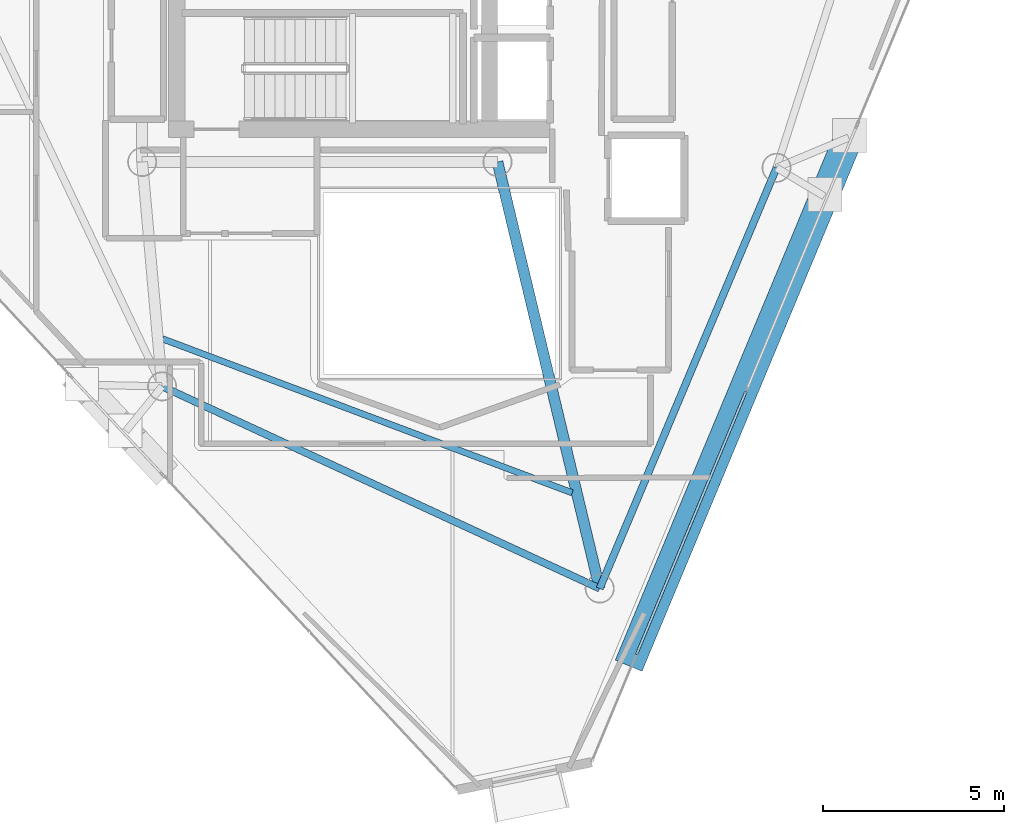
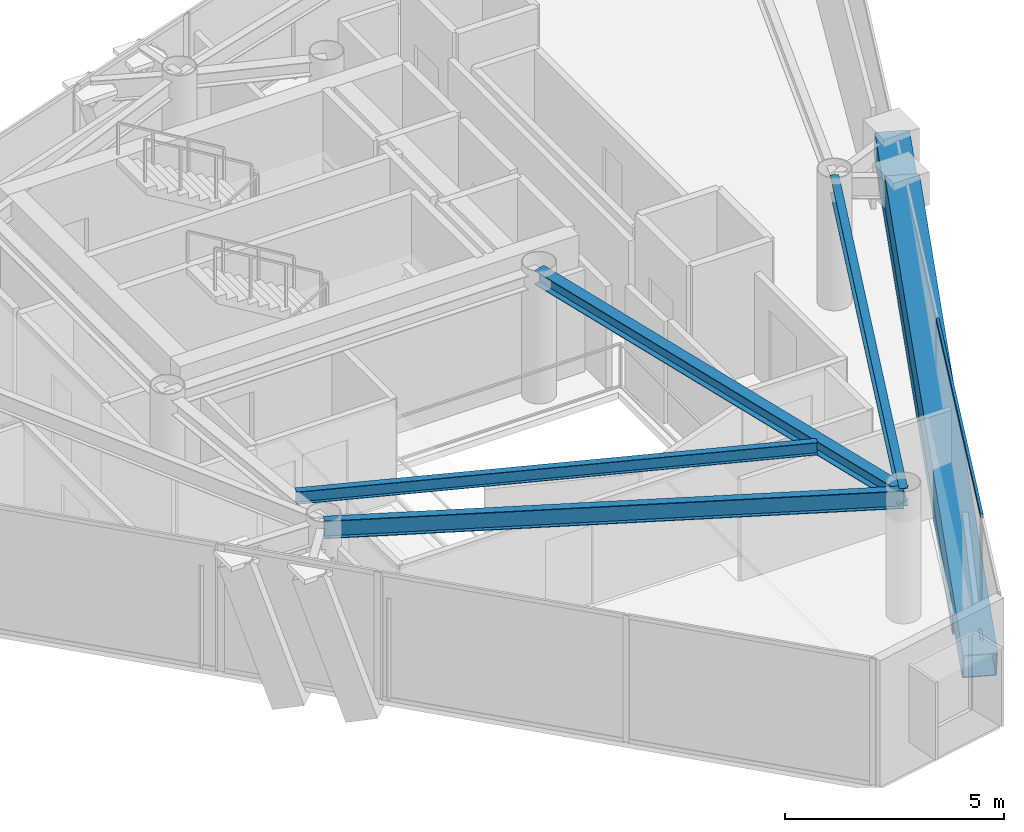
# One storey, part 5 of 19: 4 beams, 4 members, 1 element without a shape of its own.
"""IFC4 building model written with IfcOpenShell, lengths in metres."""

from ifc_helpers import new_model, si_unit, direction, frame, origin, origin_2d, place, context, subcontext, project, spatial, hollow_rectangle, i_section, extrude, material, layer, layer_set, material_profile, profile_set, type_object, element, aggregate, save


model = new_model("IFC4")

# Units and contexts
model_context = context("Model", 3, precision=1e-05, world=origin(), true_north=direction((0.0, 1.0)))
body_context = subcontext(model_context, "Body", "Model", "MODEL_VIEW")
ifc_project = project(units=[si_unit("LENGTHUNIT", "METRE"), si_unit("AREAUNIT", "SQUARE_METRE"), si_unit("VOLUMEUNIT", "CUBIC_METRE"), si_unit("PLANEANGLEUNIT", "RADIAN"), si_unit("MASSUNIT", "GRAM", prefix="KILO")], contexts=[model_context])

# Site, building, storey
site_placement = place(None, origin())
site = spatial("IfcSite", under=ifc_project, at=site_placement, CompositionType="ELEMENT")
building_placement = place(site_placement, origin())
building = spatial("IfcBuilding", under=site, at=building_placement, Name="Qianvela Tower", CompositionType="ELEMENT")
storey_placement = place(building_placement, frame((0.0, 0.0, 333.300048828125)))
storey = spatial("IfcBuildingStorey", under=building, at=storey_placement, Name="L86", CompositionType="ELEMENT", Elevation=333.300048828125)

# Beams
ifc_material_1 = material(Name="Steel Q355B", Category="steel")
ifc_material_profile_1 = material_profile(ifc_material_1, i_section(OverallWidth=0.300048828125, OverallDepth=0.389892578125, WebThickness=0.010009765625, FlangeThickness=0.01611328125, at=origin_2d()), Name="HM390x300x10x16")
ifc_profile_set_1 = profile_set([ifc_material_profile_1], Name="Steel Q355B")
beam_type_1 = type_object("IfcBeamType", Name="BM-HM390-COLL", PredefinedType="BEAM", material=ifc_profile_set_1)
beam_1_placement = place(storey_placement, frame((38.39990234375, 23.85009765625, 3.322998046875), z_axis=(0.232920204523, -0.97249585003, 0.0), x_axis=(0.97249585003, 0.232920204523, 0.0)))
element("IfcBeam", 1, at=beam_1_placement, inside=storey, type_object=beam_type_1, Name="L86 Radial Primary Floor Girder 5", PredefinedType="BEAM", context=body_context, shape_type="SweptSolid", body=[
    extrude(i_section(OverallWidth=0.300048828125, OverallDepth=0.389892578125, WebThickness=0.010009765625, FlangeThickness=0.01611328125, at=origin_2d()), origin(), (0.0, 0.0, 1.0), 12.094970703125),
])
ifc_material_2 = material(Name="Steel Q355B", Category="steel")
ifc_material_profile_2 = material_profile(ifc_material_2, i_section(OverallWidth=0.175048828125, OverallDepth=0.35009765625, WebThickness=0.007080078125, FlangeThickness=0.010986328125, at=origin_2d()), Name="HN350x175x7x11")
ifc_profile_set_2 = profile_set([ifc_material_profile_2], Name="Steel Q355B")
beam_type_2 = type_object("IfcBeamType", Name="BM-HN350-JOIST", PredefinedType="JOIST", material=ifc_profile_set_2)
beam_2_placement = place(storey_placement, frame((29.165771484375, 18.971923828125, 3.343017578125), z_axis=(0.936076156518, -0.351797426366, 0.0), x_axis=(0.351797426366, 0.936076156518, 0.0)))
element("IfcBeam", 2, at=beam_2_placement, inside=storey, type_object=beam_type_2, Name="L86 Secondary Composite Floor Joist 4.3", PredefinedType="JOIST", context=body_context, shape_type="SweptSolid", body=[
    extrude(i_section(OverallWidth=0.175048828125, OverallDepth=0.35009765625, WebThickness=0.007080078125, FlangeThickness=0.010986328125, at=origin_2d()), origin(), (0.0, 0.0, 1.0), 12.066162109375),
])
ifc_material_3 = material(Name="Steel Q355B", Category="steel")
ifc_material_profile_3 = material_profile(ifc_material_3, i_section(OverallWidth=0.199951171875, OverallDepth=0.5, WebThickness=0.010009765625, FlangeThickness=0.01611328125, at=origin_2d()), Name="HN500x200x10x16")
ifc_profile_set_3 = profile_set([ifc_material_profile_3], Name="Steel Q355B")
beam_type_3 = type_object("IfcBeamType", Name="BM-HN500-GIRD", PredefinedType="BEAM", material=ifc_profile_set_3)
beam_3_placement = place(storey_placement, frame((29.14990234375, 17.662109375, 3.26806640625), z_axis=(0.907822793776, -0.419353997359, 0.0), x_axis=(0.419353997359, 0.907822793776, 0.0)))
element("IfcBeam", 3, at=beam_3_placement, inside=storey, type_object=beam_type_3, Name="L86 Perimeter Ring Spandrel Girder 4", PredefinedType="BEAM", context=body_context, shape_type="SweptSolid", body=[
    extrude(i_section(OverallWidth=0.199951171875, OverallDepth=0.5, WebThickness=0.010009765625, FlangeThickness=0.01611328125, at=origin_2d()), origin(), (0.0, 0.0, 1.0), 13.29248046875),
])
beam_4_placement = place(storey_placement, frame((41.217041015625, 12.087890625, 3.26806640625), z_axis=(0.387547057173, 0.921849921883, 0.0), x_axis=(-0.921849921883, 0.387547057173, 0.0)))
element("IfcBeam", 4, at=beam_4_placement, inside=storey, type_object=beam_type_3, Name="L86 Perimeter Ring Spandrel Girder 5", PredefinedType="BEAM", context=body_context, shape_type="SweptSolid", body=[
    extrude(i_section(OverallWidth=0.199951171875, OverallDepth=0.5, WebThickness=0.010009765625, FlangeThickness=0.01611328125, at=origin_2d()), origin(), (0.0, 0.0, 1.0), 12.586669921875),
])

# Curtain wall, members
ifc_material_4 = material(Name="Anodised Architectural Aluminium and Insulated Spandrel Panel", Category="aluminium")
ifc_layer = layer(ifc_material_4, 0.179931640625)
ifc_layer_set = layer_set([ifc_layer], Name="Anodised Architectural Aluminium and Insulated Spandrel Panel")
curtain_wall_type = type_object("IfcCurtainWallType", Name="CW-BRACEBAY", PredefinedType="USERDEFINED", material=ifc_layer_set)
curtain_wall_placement = place(storey_placement, origin())
curtain_wall = element("IfcCurtainWall", 5, at=curtain_wall_placement, inside=storey, type_object=curtain_wall_type, Name="L86 CW-BRACEBAY Curtain Wall 06B", ObjectType="CURTAIN_WALL_SYSTEM", PredefinedType="USERDEFINED")
ifc_material_5 = material(Name="Anodised Architectural Aluminium 6063-T6", Category="aluminium")
ifc_material_profile_4 = material_profile(ifc_material_5, hollow_rectangle(XDim=0.06494140625, YDim=0.1298828125, WallThickness=0.00439453125, at=origin_2d()), Name="ALU-TRAN-65x130")
ifc_profile_set_4 = profile_set([ifc_material_profile_4], Name="Anodised Architectural Aluminium 6063-T6")
member_type_1 = type_object("IfcMemberType", Name="CW-BRACEBAY-TRAN", PredefinedType="USERDEFINED", material=ifc_profile_set_4)
member_1_placement = place(storey_placement, frame((42.233642578125, 10.271728515625, 0.032470703125), z_axis=(0.384412270305, 0.923161527815, 0.0), x_axis=(-0.923161527815, 0.384412270305, 0.0)))
member_1 = element("IfcMember", 6, at=member_1_placement, type_object=member_type_1, Name="CW-9 transom 1.1", ObjectType="TRANSOM", PredefinedType="USERDEFINED", context=body_context, shape_type="SweptSolid", body=[
    extrude(hollow_rectangle(XDim=0.06494140625, YDim=0.1298828125, WallThickness=0.00439453125, at=origin_2d()), origin(), (0.0, 0.0, 1.0), 7.852294921875),
])
member_2_placement = place(storey_placement, frame((42.233642578125, 10.271728515625, 3.487548828125), z_axis=(0.384412270305, 0.923161527815, 0.0), x_axis=(-0.923161527815, 0.384412270305, 0.0)))
member_2 = element("IfcMember", 7, at=member_2_placement, type_object=member_type_1, Name="CW-9 transom 1.2", ObjectType="TRANSOM", PredefinedType="USERDEFINED", context=body_context, shape_type="SweptSolid", body=[
    extrude(hollow_rectangle(XDim=0.06494140625, YDim=0.1298828125, WallThickness=0.00439453125, at=origin_2d()), origin(), (0.0, 0.0, 1.0), 7.852294921875),
])
aggregate(curtain_wall, [member_1, member_2])

# Members
ifc_material_6 = material(Name="Steel Q420GJC", Category="steel")
ifc_material_profile_5 = material_profile(ifc_material_6, hollow_rectangle(XDim=0.800048828125, YDim=0.800048828125, WallThickness=0.028076171875, at=origin_2d()), Name="MBOX-800x800x28")
ifc_profile_set_5 = profile_set([ifc_material_profile_5], Name="Steel Q420GJC")
member_type_2 = type_object("IfcMemberType", Name="MBR-MBRACE-800", PredefinedType="BRACE", material=ifc_profile_set_5)
member_3_placement = place(storey_placement, frame((42.05615234375, 10.05322265625, -0.48193359375), z_axis=(0.371505005957, 0.892198395994, 0.256838573298), x_axis=(-0.923166651647, 0.384399965253, 0.0)))
element("IfcMember", 8, at=member_3_placement, inside=storey, type_object=member_type_2, Name="L86 Tier 14 Exterior Mega-Brace F3A", PredefinedType="BRACE", context=body_context, shape_type="SweptSolid", body=[
    extrude(hollow_rectangle(XDim=0.800048828125, YDim=0.800048828125, WallThickness=0.028076171875, at=origin_2d()), origin(), (0.0, 0.0, 1.0), 14.40576171875),
])
member_4_placement = place(storey_placement, frame((42.729736328125, 11.6708984375, -0.48193359375), z_axis=(0.371513996836, 0.892196235628, 0.256833072806), x_axis=(-0.923163020014, 0.38440868679, 0.0)))
element("IfcMember", 9, at=member_4_placement, inside=storey, type_object=member_type_2, Name="L86 Tier 14 Exterior Mega-Brace F3B", PredefinedType="BRACE", context=body_context, shape_type="SweptSolid", body=[
    extrude(hollow_rectangle(XDim=0.800048828125, YDim=0.800048828125, WallThickness=0.028076171875, at=origin_2d()), origin(), (0.0, 0.0, 1.0), 14.406005859375),
])

save(model, "model.ifc")
